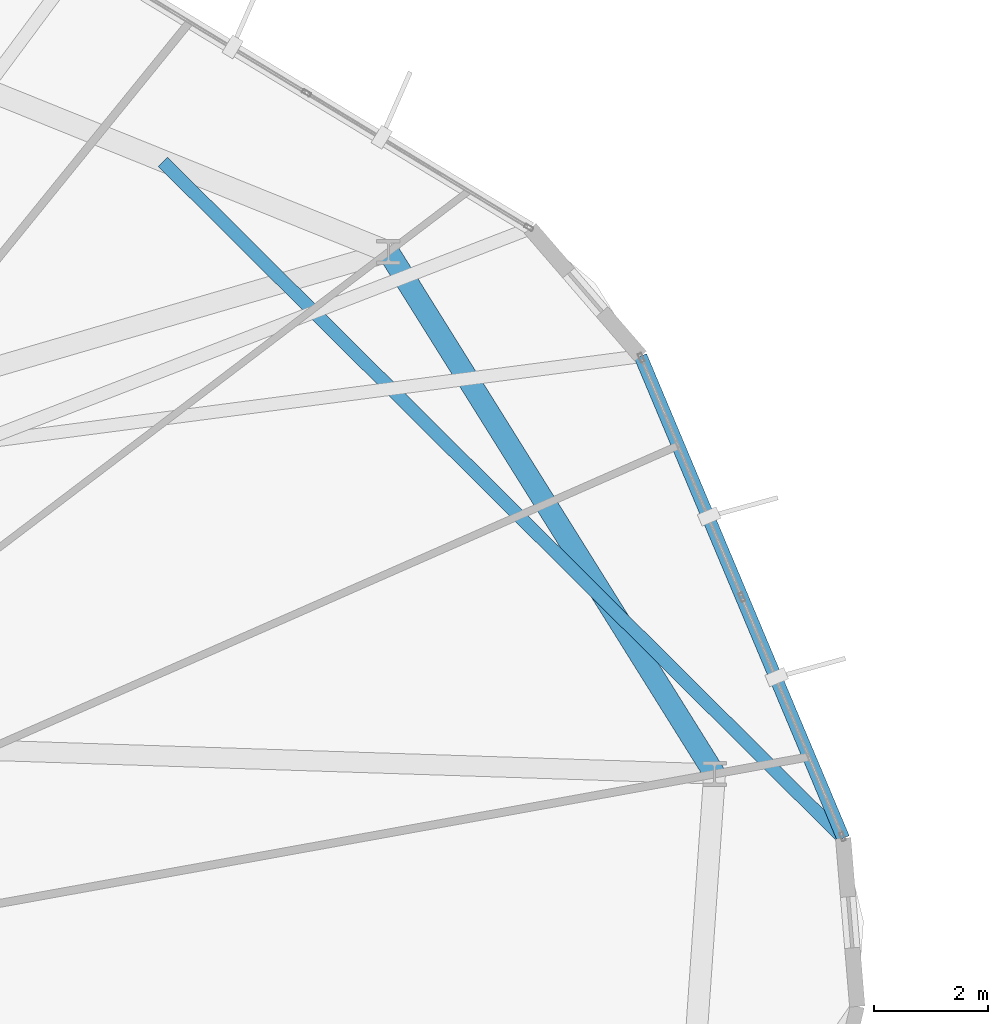
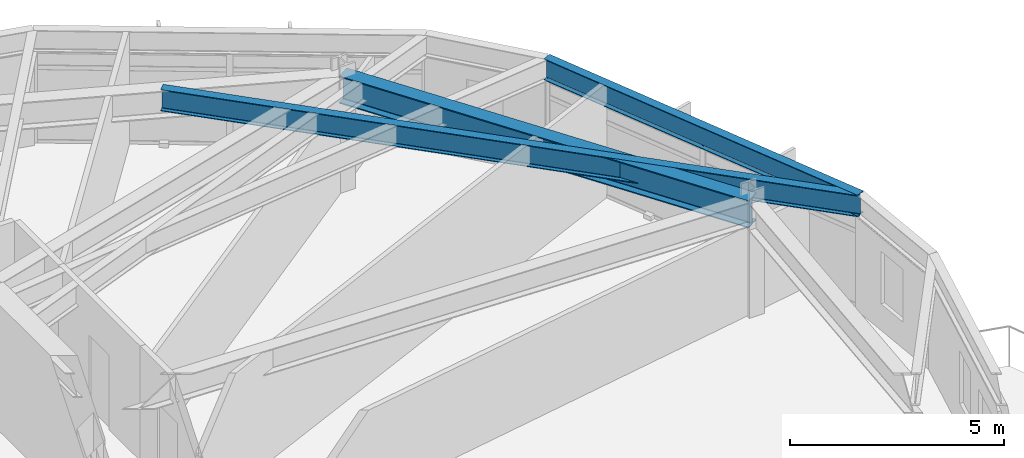
# One storey, part 13 of 27: 3 beams.
"""IFC4 building model written with IfcOpenShell, lengths in metres."""

from ifc_helpers import new_model, si_unit, direction, frame, origin, origin_2d, place, context, subcontext, project, spatial, i_section, extrude, material, material_profile, profile_set, type_object, element, save


model = new_model("IFC4")

# Units and contexts
model_context = context("Model", 3, precision=1e-05, world=origin(), true_north=direction((0.0, 1.0)))
body_context = subcontext(model_context, "Body", "Model", "MODEL_VIEW")
ifc_project = project(units=[si_unit("LENGTHUNIT", "METRE"), si_unit("AREAUNIT", "SQUARE_METRE"), si_unit("VOLUMEUNIT", "CUBIC_METRE"), si_unit("PLANEANGLEUNIT", "RADIAN"), si_unit("MASSUNIT", "GRAM", prefix="KILO")], contexts=[model_context])

# Site, building, storey
site_placement = place(None, origin())
site = spatial("IfcSite", under=ifc_project, at=site_placement, CompositionType="ELEMENT")
building_placement = place(site_placement, origin())
building = spatial("IfcBuilding", under=site, at=building_placement, Name="Soratama Intermodal Tower", CompositionType="ELEMENT")
storey_placement = place(building_placement, frame((0.0, 0.0, 182.199951171875)))
storey = spatial("IfcBuildingStorey", under=building, at=storey_placement, Name="L45", CompositionType="ELEMENT", Elevation=182.199951171875)

# Beams
ifc_material_1 = material(Name="Structural steel ASTM A992 Grade 50", Category="steel")
ifc_material_profile_1 = material_profile(ifc_material_1, i_section(OverallWidth=0.382080078125, OverallDepth=0.779052734375, WebThickness=0.01806640625, FlangeThickness=0.030029296875, FilletRadius=0.01806640625, at=origin_2d()), Name="W30X191")
ifc_profile_set_1 = profile_set([ifc_material_profile_1], Name="Structural steel ASTM A992 Grade 50")
beam_type_1 = type_object("IfcBeamType", Name="BM-RING-W30X191", PredefinedType="BEAM", material=ifc_profile_set_1)
beam_1_placement = place(storey_placement, frame((61.97998046875, 29.23388671875, 2.87060546875), z_axis=(-0.529891394359, 0.84806551055, 0.0), x_axis=(-0.84806551055, -0.529891394359, 0.0)))
element("IfcBeam", 1, at=beam_1_placement, inside=storey, type_object=beam_type_1, Name="BM-L45-RING-01", PredefinedType="BEAM", context=body_context, shape_type="SweptSolid", body=[
    extrude(i_section(OverallWidth=0.382080078125, OverallDepth=0.779052734375, WebThickness=0.01806640625, FlangeThickness=0.030029296875, FilletRadius=0.01806640625, at=origin_2d()), origin(), (0.0, 0.0, 1.0), 10.8154296875),
])
ifc_material_2 = material(Name="Structural steel ASTM A992 Grade 50", Category="steel")
ifc_material_profile_2 = material_profile(ifc_material_2, i_section(OverallWidth=0.22900390625, OverallDepth=0.612060546875, WebThickness=0.011962890625, FlangeThickness=0.01953125, FilletRadius=0.012939453125, at=origin_2d()), Name="W24X84")
ifc_profile_set_2 = profile_set([ifc_material_profile_2], Name="Structural steel ASTM A992 Grade 50")
beam_type_2 = type_object("IfcBeamType", Name="BM-SPN-W24X84", PredefinedType="SPANDREL", material=ifc_profile_set_2)
beam_2_placement = place(storey_placement, frame((64.239990234375, 28.10400390625, 2.9541015625), z_axis=(-0.387569908411, 0.921840314856, 0.0), x_axis=(-0.921840314856, -0.387569908411, 0.0)))
element("IfcBeam", 2, at=beam_2_placement, inside=storey, type_object=beam_type_2, Name="BS-L45-F10", PredefinedType="SPANDREL", context=body_context, shape_type="SweptSolid", body=[
    extrude(i_section(OverallWidth=0.22900390625, OverallDepth=0.612060546875, WebThickness=0.011962890625, FlangeThickness=0.01953125, FilletRadius=0.012939453125, at=origin_2d()), origin(), (0.0, 0.0, 1.0), 9.188232421875),
])
ifc_material_3 = material(Name="Structural steel ASTM A992 Grade 50", Category="steel")
ifc_material_profile_3 = material_profile(ifc_material_3, i_section(OverallWidth=0.22900390625, OverallDepth=0.612060546875, WebThickness=0.011962890625, FlangeThickness=0.01953125, FilletRadius=0.012939453125, at=origin_2d()), Name="W24X84")
ifc_profile_set_3 = profile_set([ifc_material_profile_3], Name="Structural steel ASTM A992 Grade 50")
beam_type_3 = type_object("IfcBeamType", Name="BM-TIE-W24X84", PredefinedType="BEAM", material=ifc_profile_set_3)
beam_3_placement = place(storey_placement, frame((52.283935546875, 39.990966796875, 2.9541015625), z_axis=(0.709152842989, -0.705054781759, 0.0), x_axis=(0.705054781759, 0.709152842989, 0.0)))
element("IfcBeam", 3, at=beam_3_placement, inside=storey, type_object=beam_type_3, Name="BM-L45-TIE0-10", PredefinedType="BEAM", context=body_context, shape_type="SweptSolid", body=[
    extrude(i_section(OverallWidth=0.22900390625, OverallDepth=0.612060546875, WebThickness=0.011962890625, FlangeThickness=0.01953125, FilletRadius=0.012939453125, at=origin_2d()), origin(), (0.0, 0.0, 1.0), 16.859619140625),
])

save(model, "model.ifc")
